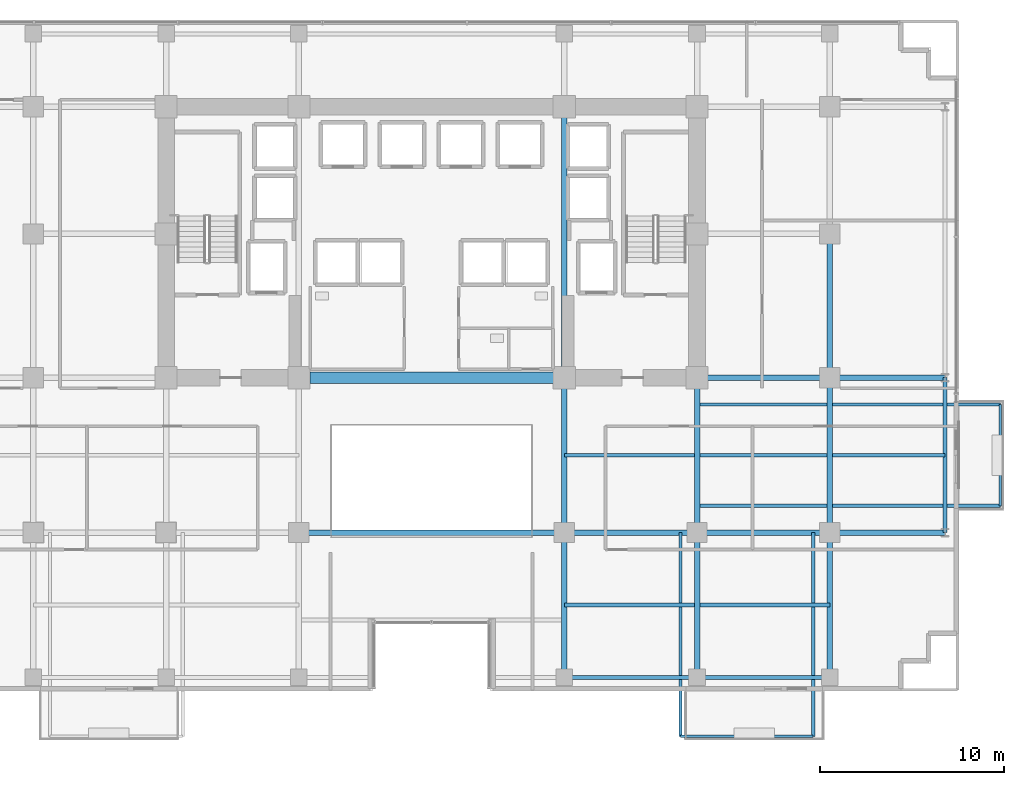
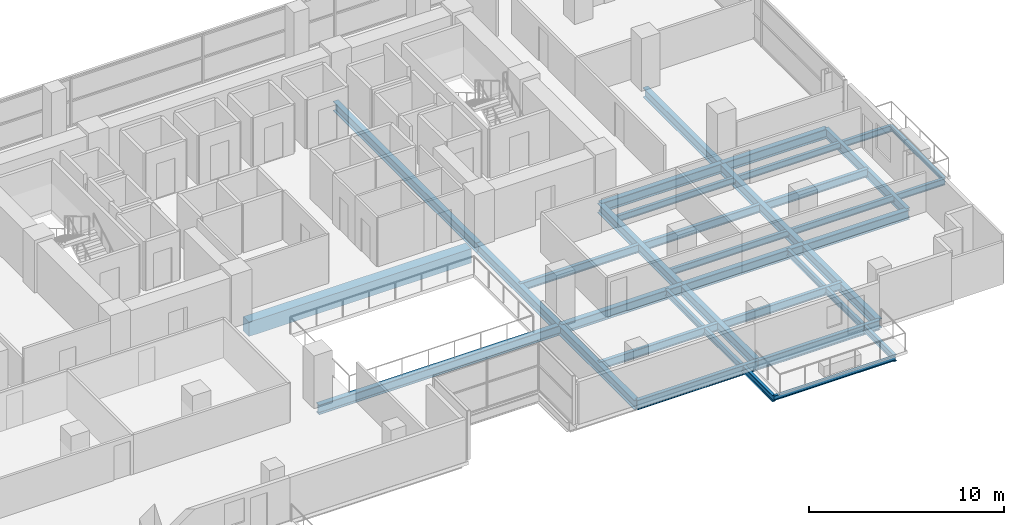
# One storey, part 13 of 29: 29 beams.
"""IFC4 building model written with IfcOpenShell, lengths in metres."""

from ifc_helpers import new_model, si_unit, direction, frame, origin, origin_2d, place, context, subcontext, project, spatial, rectangle, i_section, extrude, material, material_profile, profile_set, type_object, element, save


model = new_model("IFC4")

# Units and contexts
model_context = context("Model", 3, precision=1e-05, world=origin(), true_north=direction((0.0, 1.0)))
body_context = subcontext(model_context, "Body", "Model", "MODEL_VIEW")
ifc_project = project(units=[si_unit("LENGTHUNIT", "METRE"), si_unit("AREAUNIT", "SQUARE_METRE"), si_unit("VOLUMEUNIT", "CUBIC_METRE"), si_unit("PLANEANGLEUNIT", "RADIAN"), si_unit("MASSUNIT", "GRAM", prefix="KILO")], contexts=[model_context])

# Site, building, storey
site_placement = place(None, origin())
site = spatial("IfcSite", under=ifc_project, at=site_placement, CompositionType="ELEMENT")
building_placement = place(site_placement, origin())
building = spatial("IfcBuilding", under=site, at=building_placement, Name="Zarnakvel Exchange Tower", CompositionType="ELEMENT")
storey_placement = place(building_placement, frame((0.0, 0.0, 37.300048828125)))
storey = spatial("IfcBuildingStorey", under=building, at=storey_placement, Name="L09", CompositionType="ELEMENT", Elevation=37.300048828125)

# Beams
ifc_material_1 = material(Name="Steel S355", Category="steel")
ifc_material_profile_1 = material_profile(ifc_material_1, i_section(OverallWidth=0.199951171875, OverallDepth=0.5, WebThickness=0.01025390625, FlangeThickness=0.01611328125, FilletRadius=0.02099609375, at=origin_2d()))
ifc_profile_set_1 = profile_set([ifc_material_profile_1], Name="Steel S355")
beam_type_1 = type_object("IfcBeamType", Name="B-04", PredefinedType="JOIST", material=ifc_profile_set_1)
for number, where, z_axis, x_axis, name in (
    (1, (7.199951171875, -13.52490234375, -0.47509765625), (1.0, 0.0, 0.0), (0.0, 1.0, 0.0), "L09 Composite Floor Secondary Joist"),
    (2, (14.550048828125, -13.52490234375, -0.47509765625), (1.0, 0.0, 0.0), (0.0, 1.0, 0.0), "L09 Composite Floor Secondary Joist"),
    (3, (7.199951171875, -5.39990234375, -0.47509765625), (1.0, 0.0, 0.0), (0.0, 1.0, 0.0), "L09 Composite Floor Secondary Joist"),
):
    element("IfcBeam", number, at=place(storey_placement, frame(where, z_axis=z_axis, x_axis=x_axis)), inside=storey, type_object=beam_type_1, Name=name, PredefinedType="JOIST", context=body_context, shape_type="SweptSolid", body=[
        extrude(i_section(OverallWidth=0.199951171875, OverallDepth=0.5, WebThickness=0.01025390625, FlangeThickness=0.01611328125, FilletRadius=0.02099609375, at=origin_2d()), origin(), (0.0, 0.0, 1.0), 7.050048828125),
    ])
beam_1_placement = place(storey_placement, frame((14.550048828125, -5.39990234375, -0.47509765625), z_axis=(1.0, 0.0, 0.0), x_axis=(0.0, 1.0, 0.0)))
element("IfcBeam", 4, at=beam_1_placement, inside=storey, type_object=beam_type_1, Name="L09 Composite Floor Secondary Joist", PredefinedType="JOIST", context=body_context, shape_type="SweptSolid", body=[
    extrude(i_section(OverallWidth=0.199951171875, OverallDepth=0.5, WebThickness=0.01025390625, FlangeThickness=0.01611328125, FilletRadius=0.02099609375, at=origin_2d()), origin(), (0.0, 0.0, 1.0), 6.89990234375),
])
beam_2_placement = place(storey_placement, frame((21.75, -5.39990234375, -0.47509765625), z_axis=(1.0, 0.0, 0.0), x_axis=(0.0, 1.0, 0.0)))
element("IfcBeam", 5, at=beam_2_placement, inside=storey, type_object=beam_type_1, Name="L09 Composite Floor Secondary Joist", PredefinedType="JOIST", context=body_context, shape_type="SweptSolid", body=[
    extrude(i_section(OverallWidth=0.199951171875, OverallDepth=0.5, WebThickness=0.01025390625, FlangeThickness=0.01611328125, FilletRadius=0.02099609375, at=origin_2d()), origin(), (0.0, 0.0, 1.0), 6.10009765625),
])
ifc_material_profile_2 = material_profile(ifc_material_1, i_section(OverallWidth=0.179931640625, OverallDepth=0.39990234375, WebThickness=0.008544921875, FlangeThickness=0.013427734375, FilletRadius=0.02099609375, at=origin_2d()))
ifc_profile_set_2 = profile_set([ifc_material_profile_2], Name="Steel S355")
beam_type_2 = type_object("IfcBeamType", Name="B-06", PredefinedType="JOIST", material=ifc_profile_set_2)
for number, where, z_axis, x_axis, name in (
    (6, (13.5, -9.60009765625, -0.425048828125), (0.0, -1.0, 0.0), (1.0, 0.0, 0.0), "L09 Continuous Back-Spanned Balcony Beam W"),
    (7, (20.699951171875, -9.60009765625, -0.425048828125), (0.0, -1.0, 0.0), (1.0, 0.0, 0.0), "L09 Continuous Back-Spanned Balcony Beam E"),
):
    element("IfcBeam", number, at=place(storey_placement, frame(where, z_axis=z_axis, x_axis=x_axis)), inside=storey, type_object=beam_type_2, Name=name, PredefinedType="JOIST", context=body_context, shape_type="SweptSolid", body=[
        extrude(i_section(OverallWidth=0.179931640625, OverallDepth=0.39990234375, WebThickness=0.008544921875, FlangeThickness=0.013427734375, FilletRadius=0.02099609375, at=origin_2d()), origin(), (0.0, 0.0, 1.0), 11.0498046875),
    ])
for number, where, z_axis, x_axis, name in (
    (8, (14.39990234375, -8.14990234375, -0.425048828125), (1.0, 0.0, 0.0), (0.0, 1.0, 0.0), "L09 Continuous East Loggia Beam S"),
    (9, (14.39990234375, -2.64990234375, -0.425048828125), (1.0, 0.0, 0.0), (0.0, 1.0, 0.0), "L09 Continuous East Loggia Beam N"),
):
    element("IfcBeam", number, at=place(storey_placement, frame(where, z_axis=z_axis, x_axis=x_axis)), inside=storey, type_object=beam_type_2, Name=name, PredefinedType="JOIST", context=body_context, shape_type="SweptSolid", body=[
        extrude(i_section(OverallWidth=0.179931640625, OverallDepth=0.39990234375, WebThickness=0.008544921875, FlangeThickness=0.013427734375, FilletRadius=0.02099609375, at=origin_2d()), origin(), (0.0, 0.0, 1.0), 16.4501953125),
    ])
ifc_material_profile_3 = material_profile(ifc_material_1, i_section(OverallWidth=0.14990234375, OverallDepth=0.300048828125, WebThickness=0.007080078125, FlangeThickness=0.0107421875, FilletRadius=0.014892578125, at=origin_2d()))
ifc_profile_set_3 = profile_set([ifc_material_profile_3], Name="Steel S355")
beam_type_3 = type_object("IfcBeamType", Name="B-08", PredefinedType="JOIST", material=ifc_profile_set_3)
beam_3_placement = place(storey_placement, frame((13.5, -20.64990234375, -0.375), z_axis=(1.0, 0.0, 0.0), x_axis=(0.0, 1.0, 0.0)))
element("IfcBeam", 10, at=beam_3_placement, inside=storey, type_object=beam_type_3, Name="L09 Balcony Edge Beam", PredefinedType="JOIST", context=body_context, shape_type="SweptSolid", body=[
    extrude(i_section(OverallWidth=0.14990234375, OverallDepth=0.300048828125, WebThickness=0.007080078125, FlangeThickness=0.0107421875, FilletRadius=0.014892578125, at=origin_2d()), origin(), (0.0, 0.0, 1.0), 7.199951171875),
])
beam_4_placement = place(storey_placement, frame((30.85009765625, -8.14990234375, -0.375), z_axis=(0.0, 1.0, 0.0), x_axis=(-1.0, 0.0, 0.0)))
element("IfcBeam", 11, at=beam_4_placement, inside=storey, type_object=beam_type_3, Name="L09 East Loggia Edge Beam", PredefinedType="JOIST", context=body_context, shape_type="SweptSolid", body=[
    extrude(i_section(OverallWidth=0.14990234375, OverallDepth=0.300048828125, WebThickness=0.007080078125, FlangeThickness=0.0107421875, FilletRadius=0.014892578125, at=origin_2d()), origin(), (0.0, 0.0, 1.0), 5.5),
])
ifc_material_2 = material(Name="Concrete C80/95", Category="concrete")
ifc_material_profile_4 = material_profile(ifc_material_2, rectangle(XDim=0.60009765625, YDim=0.89990234375, at=origin_2d()))
ifc_profile_set_4 = profile_set([ifc_material_profile_4], Name="Concrete C80/95")
beam_type_4 = type_object("IfcBeamType", Name="CB-01", PredefinedType="LINTEL", material=ifc_profile_set_4)
beam_5_placement = place(storey_placement, frame((-6.60009765625, -1.199951171875, -0.675048828125), z_axis=(1.0, 0.0, 0.0), x_axis=(0.0, 1.0, 0.0)))
element("IfcBeam", 12, at=beam_5_placement, inside=storey, type_object=beam_type_4, Name="L09 Rear Core South Coupling Beam (CB-01)", PredefinedType="LINTEL", context=body_context, shape_type="SweptSolid", body=[
    extrude(rectangle(XDim=0.60009765625, YDim=0.89990234375, at=origin_2d()), origin(), (0.0, 0.0, 1.0), 13.2001953125),
])
ifc_material_profile_5 = material_profile(ifc_material_1, i_section(OverallWidth=0.300048828125, OverallDepth=0.60009765625, WebThickness=0.015380859375, FlangeThickness=0.030029296875, FilletRadius=0.027099609375, at=origin_2d()))
ifc_profile_set_5 = profile_set([ifc_material_profile_5], Name="Steel S355")
beam_type_5 = type_object("IfcBeamType", Name="G-04", PredefinedType="BEAM", material=ifc_profile_set_5)
beam_6_placement = place(storey_placement, frame((-7.199951171875, -9.60009765625, -0.525146484375), z_axis=(1.0, 0.0, 0.0), x_axis=(0.0, 1.0, 0.0)))
element("IfcBeam", 13, at=beam_6_placement, inside=storey, type_object=beam_type_5, Name="L09 Tower E-W Frame Beam", PredefinedType="BEAM", context=body_context, shape_type="SweptSolid", body=[
    extrude(i_section(OverallWidth=0.300048828125, OverallDepth=0.60009765625, WebThickness=0.015380859375, FlangeThickness=0.030029296875, FilletRadius=0.027099609375, at=origin_2d()), origin(), (0.0, 0.0, 1.0), 14.39990234375),
])
beam_7_placement = place(storey_placement, frame((7.199951171875, -9.60009765625, -0.525146484375), z_axis=(1.0, 0.0, 0.0), x_axis=(0.0, 1.0, 0.0)))
element("IfcBeam", 14, at=beam_7_placement, inside=storey, type_object=beam_type_5, Name="L09 Tower E-W Frame Beam", PredefinedType="BEAM", context=body_context, shape_type="SweptSolid", body=[
    extrude(i_section(OverallWidth=0.300048828125, OverallDepth=0.60009765625, WebThickness=0.015380859375, FlangeThickness=0.030029296875, FilletRadius=0.027099609375, at=origin_2d()), origin(), (0.0, 0.0, 1.0), 7.199951171875),
])
beam_8_placement = place(storey_placement, frame((14.39990234375, -9.60009765625, -0.525146484375), z_axis=(1.0, 0.0, 0.0), x_axis=(0.0, 1.0, 0.0)))
element("IfcBeam", 15, at=beam_8_placement, inside=storey, type_object=beam_type_5, Name="L09 Tower E-W Frame Beam", PredefinedType="BEAM", context=body_context, shape_type="SweptSolid", body=[
    extrude(i_section(OverallWidth=0.300048828125, OverallDepth=0.60009765625, WebThickness=0.015380859375, FlangeThickness=0.030029296875, FilletRadius=0.027099609375, at=origin_2d()), origin(), (0.0, 0.0, 1.0), 7.2001953125),
])
beam_9_placement = place(storey_placement, frame((21.60009765625, -9.60009765625, -0.525146484375), z_axis=(1.0, 0.0, 0.0), x_axis=(0.0, 1.0, 0.0)))
element("IfcBeam", 16, at=beam_9_placement, inside=storey, type_object=beam_type_5, Name="L09 Tower E-W Frame Beam", PredefinedType="BEAM", context=body_context, shape_type="SweptSolid", body=[
    extrude(i_section(OverallWidth=0.300048828125, OverallDepth=0.60009765625, WebThickness=0.015380859375, FlangeThickness=0.030029296875, FilletRadius=0.027099609375, at=origin_2d()), origin(), (0.0, 0.0, 1.0), 6.25),
])
beam_10_placement = place(storey_placement, frame((14.39990234375, -1.199951171875, -0.525146484375), z_axis=(1.0, 0.0, 0.0), x_axis=(0.0, 1.0, 0.0)))
element("IfcBeam", 17, at=beam_10_placement, inside=storey, type_object=beam_type_5, Name="L09 Tower E-W Frame Beam", PredefinedType="BEAM", context=body_context, shape_type="SweptSolid", body=[
    extrude(i_section(OverallWidth=0.300048828125, OverallDepth=0.60009765625, WebThickness=0.015380859375, FlangeThickness=0.030029296875, FilletRadius=0.027099609375, at=origin_2d()), origin(), (0.0, 0.0, 1.0), 7.2001953125),
])
beam_11_placement = place(storey_placement, frame((21.60009765625, -1.199951171875, -0.525146484375), z_axis=(1.0, 0.0, 0.0), x_axis=(0.0, 1.0, 0.0)))
element("IfcBeam", 18, at=beam_11_placement, inside=storey, type_object=beam_type_5, Name="L09 Tower E-W Frame Beam", PredefinedType="BEAM", context=body_context, shape_type="SweptSolid", body=[
    extrude(i_section(OverallWidth=0.300048828125, OverallDepth=0.60009765625, WebThickness=0.015380859375, FlangeThickness=0.030029296875, FilletRadius=0.027099609375, at=origin_2d()), origin(), (0.0, 0.0, 1.0), 6.25),
])
beam_12_placement = place(storey_placement, frame((7.199951171875, -17.449951171875, -0.525146484375), z_axis=(0.0, 1.0, 0.0), x_axis=(-1.0, 0.0, 0.0)))
element("IfcBeam", 19, at=beam_12_placement, inside=storey, type_object=beam_type_5, Name="L09 Tower N-S Frame Beam", PredefinedType="BEAM", context=body_context, shape_type="SweptSolid", body=[
    extrude(i_section(OverallWidth=0.300048828125, OverallDepth=0.60009765625, WebThickness=0.015380859375, FlangeThickness=0.030029296875, FilletRadius=0.027099609375, at=origin_2d()), origin(), (0.0, 0.0, 1.0), 7.849853515625),
])
beam_13_placement = place(storey_placement, frame((7.199951171875, -9.60009765625, -0.525146484375), z_axis=(0.0, 1.0, 0.0), x_axis=(-1.0, 0.0, 0.0)))
element("IfcBeam", 20, at=beam_13_placement, inside=storey, type_object=beam_type_5, Name="L09 Tower N-S Frame Beam", PredefinedType="BEAM", context=body_context, shape_type="SweptSolid", body=[
    extrude(i_section(OverallWidth=0.300048828125, OverallDepth=0.60009765625, WebThickness=0.015380859375, FlangeThickness=0.030029296875, FilletRadius=0.027099609375, at=origin_2d()), origin(), (0.0, 0.0, 1.0), 8.400146484375),
])
beam_14_placement = place(storey_placement, frame((7.199951171875, -1.199951171875, -0.525146484375), z_axis=(0.0, 1.0, 0.0), x_axis=(-1.0, 0.0, 0.0)))
element("IfcBeam", 21, at=beam_14_placement, inside=storey, type_object=beam_type_5, Name="L09 Tower N-S Frame Beam", PredefinedType="BEAM", context=body_context, shape_type="SweptSolid", body=[
    extrude(i_section(OverallWidth=0.300048828125, OverallDepth=0.60009765625, WebThickness=0.015380859375, FlangeThickness=0.030029296875, FilletRadius=0.027099609375, at=origin_2d()), origin(), (0.0, 0.0, 1.0), 14.699951171875),
])
beam_15_placement = place(storey_placement, frame((14.39990234375, -17.449951171875, -0.525146484375), z_axis=(0.0, 1.0, 0.0), x_axis=(-1.0, 0.0, 0.0)))
element("IfcBeam", 22, at=beam_15_placement, inside=storey, type_object=beam_type_5, Name="L09 Tower N-S Frame Beam", PredefinedType="BEAM", context=body_context, shape_type="SweptSolid", body=[
    extrude(i_section(OverallWidth=0.300048828125, OverallDepth=0.60009765625, WebThickness=0.015380859375, FlangeThickness=0.030029296875, FilletRadius=0.027099609375, at=origin_2d()), origin(), (0.0, 0.0, 1.0), 7.849853515625),
])
beam_16_placement = place(storey_placement, frame((14.39990234375, -9.60009765625, -0.525146484375), z_axis=(0.0, 1.0, 0.0), x_axis=(-1.0, 0.0, 0.0)))
element("IfcBeam", 23, at=beam_16_placement, inside=storey, type_object=beam_type_5, Name="L09 Tower N-S Frame Beam", PredefinedType="BEAM", context=body_context, shape_type="SweptSolid", body=[
    extrude(i_section(OverallWidth=0.300048828125, OverallDepth=0.60009765625, WebThickness=0.015380859375, FlangeThickness=0.030029296875, FilletRadius=0.027099609375, at=origin_2d()), origin(), (0.0, 0.0, 1.0), 8.400146484375),
])
beam_17_placement = place(storey_placement, frame((21.60009765625, -17.449951171875, -0.525146484375), z_axis=(0.0, 1.0, 0.0), x_axis=(-1.0, 0.0, 0.0)))
element("IfcBeam", 24, at=beam_17_placement, inside=storey, type_object=beam_type_5, Name="L09 Tower N-S Frame Beam", PredefinedType="BEAM", context=body_context, shape_type="SweptSolid", body=[
    extrude(i_section(OverallWidth=0.300048828125, OverallDepth=0.60009765625, WebThickness=0.015380859375, FlangeThickness=0.030029296875, FilletRadius=0.027099609375, at=origin_2d()), origin(), (0.0, 0.0, 1.0), 7.849853515625),
])
beam_18_placement = place(storey_placement, frame((21.60009765625, -9.60009765625, -0.525146484375), z_axis=(0.0, 1.0, 0.0), x_axis=(-1.0, 0.0, 0.0)))
element("IfcBeam", 25, at=beam_18_placement, inside=storey, type_object=beam_type_5, Name="L09 Tower N-S Frame Beam", PredefinedType="BEAM", context=body_context, shape_type="SweptSolid", body=[
    extrude(i_section(OverallWidth=0.300048828125, OverallDepth=0.60009765625, WebThickness=0.015380859375, FlangeThickness=0.030029296875, FilletRadius=0.027099609375, at=origin_2d()), origin(), (0.0, 0.0, 1.0), 8.400146484375),
])
beam_19_placement = place(storey_placement, frame((21.60009765625, -1.199951171875, -0.525146484375), z_axis=(0.0, 1.0, 0.0), x_axis=(-1.0, 0.0, 0.0)))
element("IfcBeam", 26, at=beam_19_placement, inside=storey, type_object=beam_type_5, Name="L09 Tower N-S Frame Beam", PredefinedType="BEAM", context=body_context, shape_type="SweptSolid", body=[
    extrude(i_section(OverallWidth=0.300048828125, OverallDepth=0.60009765625, WebThickness=0.015380859375, FlangeThickness=0.030029296875, FilletRadius=0.027099609375, at=origin_2d()), origin(), (0.0, 0.0, 1.0), 7.800048828125),
])
ifc_material_profile_6 = material_profile(ifc_material_1, i_section(OverallWidth=0.219970703125, OverallDepth=0.60009765625, WebThickness=0.011962890625, FlangeThickness=0.01904296875, FilletRadius=0.02392578125, at=origin_2d()))
ifc_profile_set_6 = profile_set([ifc_material_profile_6], Name="Steel S355")
beam_type_6 = type_object("IfcBeamType", Name="SP-01", PredefinedType="SPANDREL", material=ifc_profile_set_6)
beam_20_placement = place(storey_placement, frame((7.199951171875, -17.449951171875, -0.525146484375), z_axis=(1.0, 0.0, 0.0), x_axis=(0.0, 1.0, 0.0)))
element("IfcBeam", 27, at=beam_20_placement, inside=storey, type_object=beam_type_6, Name="L09 Tower E-W Frame Beam", PredefinedType="SPANDREL", context=body_context, shape_type="SweptSolid", body=[
    extrude(i_section(OverallWidth=0.219970703125, OverallDepth=0.60009765625, WebThickness=0.011962890625, FlangeThickness=0.01904296875, FilletRadius=0.02392578125, at=origin_2d()), origin(), (0.0, 0.0, 1.0), 7.199951171875),
])
beam_21_placement = place(storey_placement, frame((14.39990234375, -17.449951171875, -0.525146484375), z_axis=(1.0, 0.0, 0.0), x_axis=(0.0, 1.0, 0.0)))
element("IfcBeam", 28, at=beam_21_placement, inside=storey, type_object=beam_type_6, Name="L09 Tower E-W Frame Beam", PredefinedType="SPANDREL", context=body_context, shape_type="SweptSolid", body=[
    extrude(i_section(OverallWidth=0.219970703125, OverallDepth=0.60009765625, WebThickness=0.011962890625, FlangeThickness=0.01904296875, FilletRadius=0.02392578125, at=origin_2d()), origin(), (0.0, 0.0, 1.0), 7.2001953125),
])
beam_22_placement = place(storey_placement, frame((27.85009765625, -9.60009765625, -0.525146484375), z_axis=(0.0, 1.0, 0.0), x_axis=(-1.0, 0.0, 0.0)))
element("IfcBeam", 29, at=beam_22_placement, inside=storey, type_object=beam_type_6, Name="L09 Tower N-S Frame Beam", PredefinedType="SPANDREL", context=body_context, shape_type="SweptSolid", body=[
    extrude(i_section(OverallWidth=0.219970703125, OverallDepth=0.60009765625, WebThickness=0.011962890625, FlangeThickness=0.01904296875, FilletRadius=0.02392578125, at=origin_2d()), origin(), (0.0, 0.0, 1.0), 8.400146484375),
])

save(model, "model.ifc")
